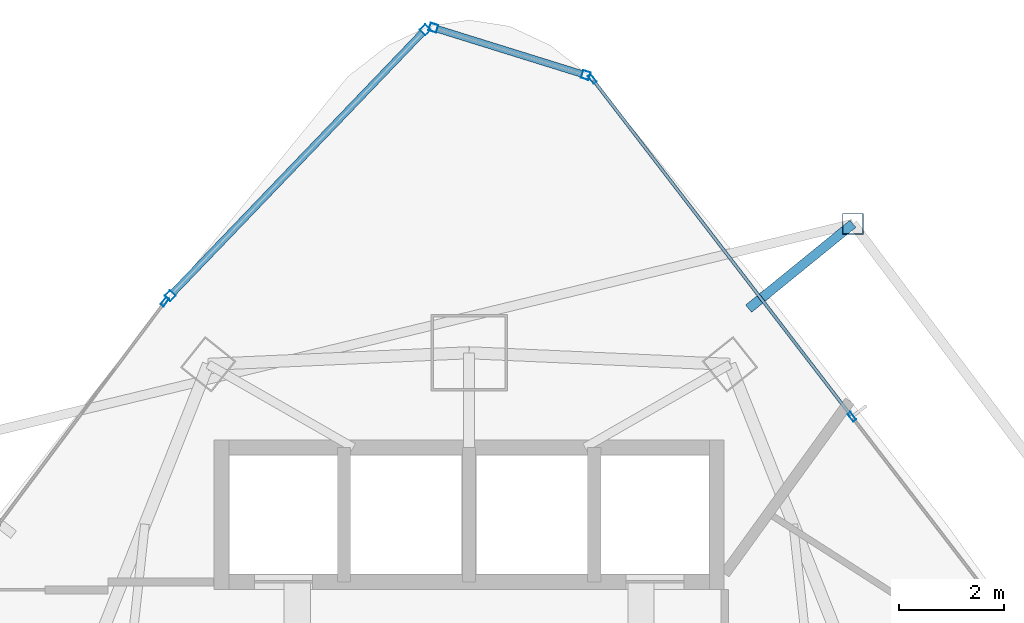
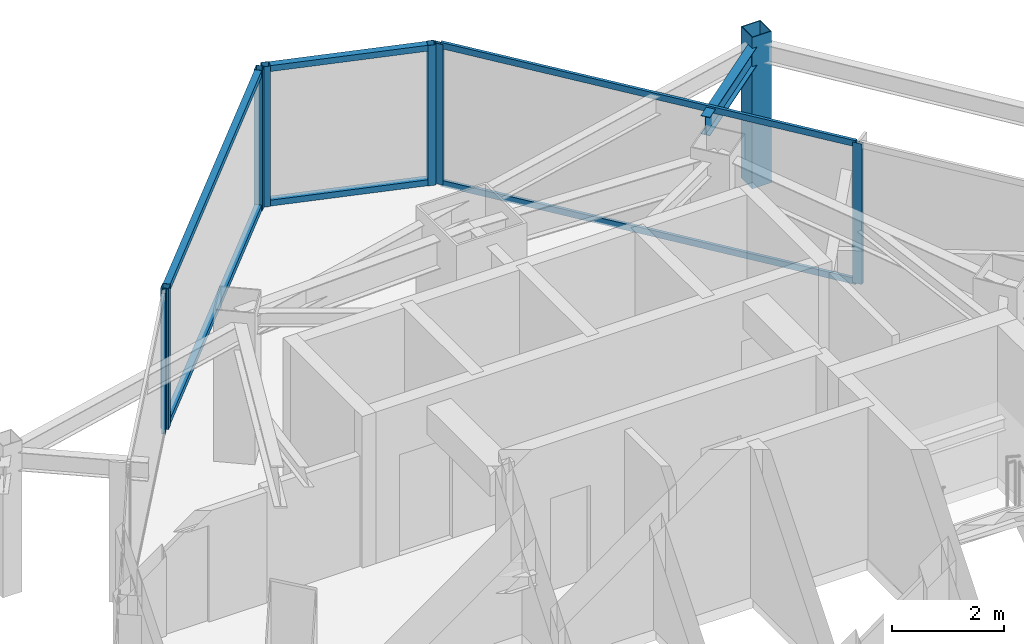
# One storey, part 21 of 29: 14 members, 1 beam, 4 elements without a shape of their own.
"""IFC4 building model written with IfcOpenShell, lengths in metres."""

from ifc_helpers import new_model, si_unit, direction, frame, origin, origin_2d, place, context, subcontext, project, spatial, hollow_rectangle, i_section, extrude, material, layer, layer_set, material_profile, profile_set, type_object, element, aggregate, save


model = new_model("IFC4")

# Units and contexts
model_context = context("Model", 3, precision=1e-05, world=origin(), true_north=direction((0.0, 1.0)))
body_context = subcontext(model_context, "Body", "Model", "MODEL_VIEW")
ifc_project = project(units=[si_unit("LENGTHUNIT", "METRE"), si_unit("AREAUNIT", "SQUARE_METRE"), si_unit("VOLUMEUNIT", "CUBIC_METRE"), si_unit("PLANEANGLEUNIT", "RADIAN"), si_unit("MASSUNIT", "GRAM", prefix="KILO")], contexts=[model_context])

# Site, building, storey
site_placement = place(None, origin())
site = spatial("IfcSite", under=ifc_project, at=site_placement, CompositionType="ELEMENT")
building_placement = place(site_placement, origin())
building = spatial("IfcBuilding", under=site, at=building_placement, Name="Orvanel Arch Residences", CompositionType="ELEMENT")
storey_placement = place(building_placement, frame((0.0, 0.0, 170.449951171875)))
storey = spatial("IfcBuildingStorey", under=building, at=storey_placement, Name="L48", CompositionType="ELEMENT", Elevation=170.449951171875)

# Curtain wall, members
ifc_material_1 = material(Name="Bronze-anodised aluminium AA6063-T6", Category="aluminium")
ifc_layer_1 = layer(ifc_material_1, 0.18994140625)
ifc_layer_set_1 = layer_set([ifc_layer_1], Name="Bronze-anodised aluminium AA6063-T6")
curtain_wall_type_1 = type_object("IfcCurtainWallType", Name="CW5-CRN-SYS", PredefinedType="NOTDEFINED", material=ifc_layer_set_1)
curtain_wall_1_placement = place(storey_placement, origin())
curtain_wall_1 = element("IfcCurtainWall", 1, at=curtain_wall_1_placement, inside=storey, type_object=curtain_wall_type_1, Name="L48 CW5-CRN-SYS Unitised Curtain Wall", PredefinedType="NOTDEFINED")
ifc_material_profile_1 = material_profile(ifc_material_1, hollow_rectangle(XDim=0.14990234375, YDim=0.14990234375, WallThickness=0.0048828125, at=origin_2d()), Name="ALU150x150x5")
ifc_profile_set_1 = profile_set([ifc_material_profile_1], Name="Bronze-anodised aluminium AA6063-T6")
member_type_1 = type_object("IfcMemberType", Name="MUL-150x150", PredefinedType="MULLION", material=ifc_profile_set_1)
member_1_placement = place(storey_placement, frame((35.21337890625, 46.665283203125, 0.0), z_axis=(0.0, 0.0, 1.0), x_axis=(-0.29709205857, -0.954848840778, 0.0)))
member_1 = element("IfcMember", 2, at=member_1_placement, type_object=member_type_1, Name="CW-S5 mullion 1", PredefinedType="MULLION", context=body_context, shape_type="SweptSolid", body=[
    extrude(hollow_rectangle(XDim=0.14990234375, YDim=0.14990234375, WallThickness=0.0048828125, at=origin_2d()), origin(), (0.0, 0.0, 1.0), 3.06005859375),
])
member_2_placement = place(storey_placement, frame((32.322509765625, 47.564697265625, 0.0), z_axis=(0.0, 0.0, 1.0), x_axis=(-0.29709205857, -0.954848840778, 0.0)))
member_2 = element("IfcMember", 3, at=member_2_placement, type_object=member_type_1, Name="CW-S5 mullion 2", PredefinedType="MULLION", context=body_context, shape_type="SweptSolid", body=[
    extrude(hollow_rectangle(XDim=0.14990234375, YDim=0.14990234375, WallThickness=0.0048828125, at=origin_2d()), origin(), (0.0, 0.0, 1.0), 3.06005859375),
])

curtain_wall_2_placement = place(storey_placement, origin())
curtain_wall_2 = element("IfcCurtainWall", 4, at=curtain_wall_2_placement, inside=storey, type_object=curtain_wall_type_1, Name="L48 CW5-CRN-SYS Unitised Curtain Wall", PredefinedType="NOTDEFINED")
member_3_placement = place(storey_placement, frame((32.166015625, 47.52490234375, 0.0), z_axis=(0.0, 0.0, 1.0), x_axis=(0.721655878647, -0.692251972055, 0.0)))
member_3 = element("IfcMember", 5, at=member_3_placement, type_object=member_type_1, Name="CW-S5 mullion 1", PredefinedType="MULLION", context=body_context, shape_type="SweptSolid", body=[
    extrude(hollow_rectangle(XDim=0.14990234375, YDim=0.14990234375, WallThickness=0.0048828125, at=origin_2d()), origin(), (0.0, 0.0, 1.0), 3.06005859375),
])
member_4_placement = place(storey_placement, frame((27.325927734375, 42.47900390625, 0.0), z_axis=(0.0, 0.0, 1.0), x_axis=(0.721655878647, -0.692251972055, 0.0)))
member_4 = element("IfcMember", 6, at=member_4_placement, type_object=member_type_1, Name="CW-S5 mullion 2", PredefinedType="MULLION", context=body_context, shape_type="SweptSolid", body=[
    extrude(hollow_rectangle(XDim=0.14990234375, YDim=0.14990234375, WallThickness=0.0048828125, at=origin_2d()), origin(), (0.0, 0.0, 1.0), 3.06005859375),
])

# Curtain wall, member
ifc_layer_2 = layer(ifc_material_1, 0.179931640625)
ifc_layer_set_2 = layer_set([ifc_layer_2], Name="Bronze-anodised aluminium AA6063-T6")
curtain_wall_type_2 = type_object("IfcCurtainWallType", Name="CW3-MID-SYS", PredefinedType="NOTDEFINED", material=ifc_layer_set_2)
curtain_wall_3_placement = place(storey_placement, origin())
curtain_wall_3 = element("IfcCurtainWall", 7, at=curtain_wall_3_placement, inside=storey, type_object=curtain_wall_type_2, Name="L48 CW3-MID-SYS Unitised Curtain Wall", PredefinedType="NOTDEFINED")
ifc_material_profile_2 = material_profile(ifc_material_1, hollow_rectangle(XDim=0.070068359375, YDim=0.179931640625, WallThickness=0.00439453125, at=origin_2d()), Name="ALU180x70x4.5")
ifc_profile_set_2 = profile_set([ifc_material_profile_2], Name="Bronze-anodised aluminium AA6063-T6")
member_type_2 = type_object("IfcMemberType", Name="MUL-180x70", PredefinedType="MULLION", material=ifc_profile_set_2)
member_5_placement = place(storey_placement, frame((27.22705078125, 42.366943359375, 0.0), z_axis=(0.0, 0.0, 1.0), x_axis=(0.801287325771, -0.598279718492, 0.0)))
member_5 = element("IfcMember", 8, at=member_5_placement, type_object=member_type_2, Name="CW-S3 mullion 1", PredefinedType="MULLION", context=body_context, shape_type="SweptSolid", body=[
    extrude(hollow_rectangle(XDim=0.070068359375, YDim=0.179931640625, WallThickness=0.00439453125, at=origin_2d()), origin(), (0.0, 0.0, 1.0), 3.06005859375),
])
aggregate(curtain_wall_3, [member_5])

# Curtain wall, members
curtain_wall_4_placement = place(storey_placement, origin())
curtain_wall_4 = element("IfcCurtainWall", 9, at=curtain_wall_4_placement, inside=storey, type_object=curtain_wall_type_2, Name="L48 CW3-MID-SYS Unitised Curtain Wall", PredefinedType="NOTDEFINED")
member_6_placement = place(storey_placement, frame((40.263916015625, 40.181884765625, 0.0), z_axis=(0.0, 0.0, 1.0), x_axis=(-0.792926030176, -0.60931790608, 0.0)))
member_6 = element("IfcMember", 10, at=member_6_placement, type_object=member_type_2, Name="CW-S3 mullion 2", PredefinedType="MULLION", context=body_context, shape_type="SweptSolid", body=[
    extrude(hollow_rectangle(XDim=0.070068359375, YDim=0.179931640625, WallThickness=0.00439453125, at=origin_2d()), origin(), (0.0, 0.0, 1.0), 3.06005859375),
])
member_7_placement = place(storey_placement, frame((35.33740234375, 46.59326171875, 0.0), z_axis=(0.0, 0.0, 1.0), x_axis=(-0.792926030176, -0.60931790608, 0.0)))
member_7 = element("IfcMember", 11, at=member_7_placement, type_object=member_type_2, Name="CW-S3 mullion 3", PredefinedType="MULLION", context=body_context, shape_type="SweptSolid", body=[
    extrude(hollow_rectangle(XDim=0.070068359375, YDim=0.179931640625, WallThickness=0.00439453125, at=origin_2d()), origin(), (0.0, 0.0, 1.0), 3.06005859375),
])

# Beam
ifc_material_2 = material(Name="Structural steel AS/NZS 3679.1 Grade 300 (300 MPa)", Category="steel")
ifc_material_profile_3 = material_profile(ifc_material_2, i_section(OverallWidth=0.177978515625, OverallDepth=0.406005859375, WebThickness=0.0078125, FlangeThickness=0.0126953125, at=origin_2d()), Name="410UB59.7")
ifc_profile_set_3 = profile_set([ifc_material_profile_3], Name="Structural steel AS/NZS 3679.1 Grade 300 (300 MPa)")
beam_type = type_object("IfcBeamType", Name="OB-410UB-EXT", PredefinedType="SPANDREL", material=ifc_profile_set_3)
beam_placement = place(storey_placement, frame((38.303955078125, 42.235107421875, 2.85693359375), z_axis=(0.775779999629, 0.63100348032, 0.0), x_axis=(-0.63100348032, 0.775779999629, 0.0)))
element("IfcBeam", 12, at=beam_placement, inside=storey, type_object=beam_type, Name="L48 Outer Frame Radial Tie Beam 12", PredefinedType="SPANDREL", context=body_context, shape_type="SweptSolid", body=[
    extrude(i_section(OverallWidth=0.177978515625, OverallDepth=0.406005859375, WebThickness=0.0078125, FlangeThickness=0.0126953125, at=origin_2d()), origin(), (0.0, 0.0, 1.0), 2.5498046875),
])

# Member
ifc_material_3 = material(Name="Structural steel AS/NZS 1163 C450L0 (Grade 450)", Category="steel")
ifc_material_profile_4 = material_profile(ifc_material_3, hollow_rectangle(XDim=0.39990234375, YDim=0.39990234375, WallThickness=0.01611328125, at=origin_2d()), Name="SHS400x400x16")
ifc_profile_set_4 = profile_set([ifc_material_profile_4], Name="Structural steel AS/NZS 1163 C450L0 (Grade 450)")
member_type_3 = type_object("IfcMemberType", Name="ST-400SHS-EXT", PredefinedType="STRUT", material=ifc_profile_set_4)
member_8_placement = place(storey_placement, frame((40.281982421875, 43.843994140625, 0.0), z_axis=(0.0, 0.0, 1.0), x_axis=(1.0, 0.0, 0.0)))
element("IfcMember", 13, at=member_8_placement, inside=storey, type_object=member_type_3, Name="L48 Outer Perimeter Frame Post 12", PredefinedType="STRUT", context=body_context, shape_type="SweptSolid", body=[
    extrude(hollow_rectangle(XDim=0.39990234375, YDim=0.39990234375, WallThickness=0.01611328125, at=origin_2d()), origin(), (0.0, 0.0, 1.0), 3.300048828125),
])

ifc_material_profile_5 = material_profile(ifc_material_1, hollow_rectangle(XDim=0.1298828125, YDim=0.1298828125, WallThickness=0.00439453125, at=origin_2d()), Name="ALU130x130x4.5")
ifc_profile_set_5 = profile_set([ifc_material_profile_5], Name="Bronze-anodised aluminium AA6063-T6")
member_type_4 = type_object("IfcMemberType", Name="TRN-130x130", PredefinedType="USERDEFINED", material=ifc_profile_set_5)
member_9_placement = place(storey_placement, frame((35.141845703125, 46.6875, 0.06494140625), z_axis=(-0.954838590876, 0.297124999578, 0.0), x_axis=(-0.297124999578, -0.954838590876, 0.0)))
member_9 = element("IfcMember", 14, at=member_9_placement, type_object=member_type_4, Name="CW-S5 transom 1.1", ObjectType="TRANSOM", PredefinedType="USERDEFINED", context=body_context, shape_type="SweptSolid", body=[
    extrude(hollow_rectangle(XDim=0.1298828125, YDim=0.1298828125, WallThickness=0.00439453125, at=origin_2d()), origin(), (0.0, 0.0, 1.0), 2.87744140625),
])

member_10_placement = place(storey_placement, frame((35.141845703125, 46.6875, 2.9951171875), z_axis=(-0.954838590876, 0.297124999578, 0.0), x_axis=(-0.297124999578, -0.954838590876, 0.0)))
member_10 = element("IfcMember", 15, at=member_10_placement, type_object=member_type_4, Name="CW-S5 transom 1.2", ObjectType="TRANSOM", PredefinedType="USERDEFINED", context=body_context, shape_type="SweptSolid", body=[
    extrude(hollow_rectangle(XDim=0.1298828125, YDim=0.1298828125, WallThickness=0.00439453125, at=origin_2d()), origin(), (0.0, 0.0, 1.0), 2.87744140625),
])

aggregate(curtain_wall_1, [member_1, member_2, member_9, member_10])

member_11_placement = place(storey_placement, frame((32.1142578125, 47.470703125, 0.06494140625), z_axis=(-0.692252491269, -0.721655380589, 0.0), x_axis=(0.721655380589, -0.692252491269, 0.0)))
member_11 = element("IfcMember", 16, at=member_11_placement, type_object=member_type_4, Name="CW-S5 transom 1.1", ObjectType="TRANSOM", PredefinedType="USERDEFINED", context=body_context, shape_type="SweptSolid", body=[
    extrude(hollow_rectangle(XDim=0.1298828125, YDim=0.1298828125, WallThickness=0.00439453125, at=origin_2d()), origin(), (0.0, 0.0, 1.0), 6.841796875),
])

member_12_placement = place(storey_placement, frame((32.1142578125, 47.470703125, 2.9951171875), z_axis=(-0.692252491269, -0.721655380589, 0.0), x_axis=(0.721655380589, -0.692252491269, 0.0)))
member_12 = element("IfcMember", 17, at=member_12_placement, type_object=member_type_4, Name="CW-S5 transom 1.2", ObjectType="TRANSOM", PredefinedType="USERDEFINED", context=body_context, shape_type="SweptSolid", body=[
    extrude(hollow_rectangle(XDim=0.1298828125, YDim=0.1298828125, WallThickness=0.00439453125, at=origin_2d()), origin(), (0.0, 0.0, 1.0), 6.841796875),
])

aggregate(curtain_wall_2, [member_3, member_4, member_11, member_12])

ifc_material_profile_6 = material_profile(ifc_material_1, hollow_rectangle(XDim=0.06005859375, YDim=0.135009765625, WallThickness=0.00390625, at=origin_2d()), Name="ALU135x60x4")
ifc_profile_set_6 = profile_set([ifc_material_profile_6], Name="Bronze-anodised aluminium AA6063-T6")
member_type_5 = type_object("IfcMemberType", Name="TRN-135x60", PredefinedType="USERDEFINED", material=ifc_profile_set_6)
member_13_placement = place(storey_placement, frame((40.24267578125, 40.209716796875, 0.030029296875), z_axis=(-0.609320615479, 0.792923948151, 0.0), x_axis=(-0.792923948151, -0.609320615479, 0.0)))
member_13 = element("IfcMember", 18, at=member_13_placement, type_object=member_type_5, Name="CW-S3 transom 2.1", ObjectType="TRANSOM", PredefinedType="USERDEFINED", context=body_context, shape_type="SweptSolid", body=[
    extrude(hollow_rectangle(XDim=0.06005859375, YDim=0.135009765625, WallThickness=0.00390625, at=origin_2d()), origin(), (0.0, 0.0, 1.0), 8.015625),
])

member_14_placement = place(storey_placement, frame((40.24267578125, 40.209716796875, 3.030029296875), z_axis=(-0.609320615479, 0.792923948151, 0.0), x_axis=(-0.792923948151, -0.609320615479, 0.0)))
member_14 = element("IfcMember", 19, at=member_14_placement, type_object=member_type_5, Name="CW-S3 transom 2.2", ObjectType="TRANSOM", PredefinedType="USERDEFINED", context=body_context, shape_type="SweptSolid", body=[
    extrude(hollow_rectangle(XDim=0.06005859375, YDim=0.135009765625, WallThickness=0.00390625, at=origin_2d()), origin(), (0.0, 0.0, 1.0), 8.015625),
])

aggregate(curtain_wall_4, [member_6, member_7, member_13, member_14])

save(model, "model.ifc")
